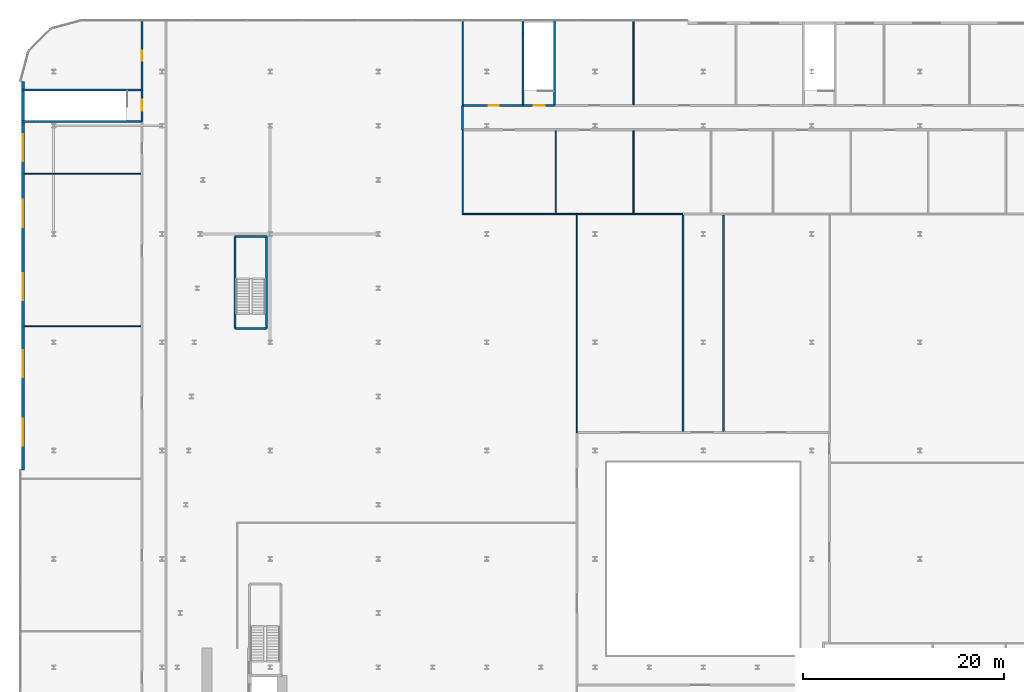
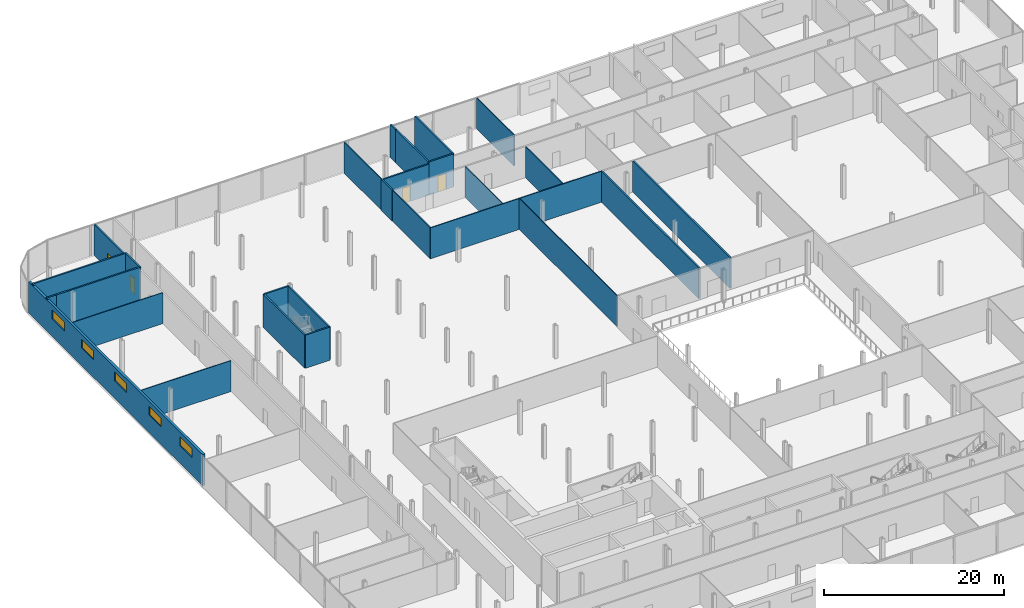
# One storey, part 34 of 43: 27 walls, 5 windows, 4 doors, 9 openings.
"""IFC4 building model written with IfcOpenShell, lengths in metres."""

import ifcopenshell
import ifcopenshell.guid

model = None  # the IFC model being written
_history = None  # IfcOwnerHistory: only IFC2X3 demands one
_inside = {}  # id of a spatial element -> (the spatial element, [elements in it])
_under = {}  # id of a project, library or spatial element -> (it, [spatial elements below it])
_declared = {}  # id of a project -> (the project, [libraries it declares])
_typed = {}  # id of a type object -> (the type object, [elements of that type])
_made_of = {}  # id of a material, layer set ... -> (it, [elements and type objects made of it])


def new_model(schema):
    """Start an empty IFC model of exactly this schema.

    Asked for "IFC4X3", IfcOpenShell would pick the latest addendum, in which some entities
    have other attributes; the version numbers below select the first issue.
    IFC2X3 requires an IfcOwnerHistory on every rooted entity: one is made here for all.
    """
    global model, _history
    if schema == "IFC4X3":
        model = ifcopenshell.file(schema_version=(4, 3, 0, 0))
    else:
        model = ifcopenshell.file(schema=schema)
    _inside.clear()
    _under.clear()
    _declared.clear()
    _typed.clear()
    _made_of.clear()
    _history = None
    if model.schema == "IFC2X3":
        org = make("IfcOrganization", Name="unknown")
        user = make(
            "IfcPersonAndOrganization",
            ThePerson=make("IfcPerson", FamilyName="unknown"),
            TheOrganization=org,
        )
        app = make(
            "IfcApplication",
            ApplicationDeveloper=org,
            Version="unknown",
            ApplicationFullName="unknown",
            ApplicationIdentifier="unknown",
        )
        _history = make(
            "IfcOwnerHistory",
            OwningUser=user,
            OwningApplication=app,
            ChangeAction="ADDED",
            CreationDate=0,
        )
    return model


def make(cls, **values):
    """One entity of the class cls with the attributes given. An attribute that is None is left unset."""
    return model.create_entity(
        cls, **{name: value for name, value in values.items() if value is not None}
    )


def rooted(cls, **values):
    """An entity with a GlobalId (a new one), such as an element, a storey or a relation."""
    return make(cls, GlobalId=ifcopenshell.guid.new(), OwnerHistory=_history, **values)


def si_unit(unit_type, name, prefix=None):
    """IfcSIUnit, for example si_unit("LENGTHUNIT", "METRE", prefix="MILLI")."""
    return make("IfcSIUnit", UnitType=unit_type, Prefix=prefix, Name=name)


def assignment(units):
    """IfcUnitAssignment: the units of a project."""
    return None if units is None else make("IfcUnitAssignment", Units=units)


def point(xyz):
    """IfcCartesianPoint."""
    return None if xyz is None else make("IfcCartesianPoint", Coordinates=xyz)


def direction(xyz):
    """IfcDirection."""
    return None if xyz is None else make("IfcDirection", DirectionRatios=xyz)


def frame(location, z_axis=None, x_axis=None):
    """IfcAxis2Placement3D, a coordinate frame: its origin and axes. An axis left out is left unset."""
    return make(
        "IfcAxis2Placement3D",
        Location=point(location),
        Axis=direction(z_axis),
        RefDirection=direction(x_axis),
    )


def frame_2d(location, x_axis=None):
    """IfcAxis2Placement2D, a coordinate frame in the plane: its origin and x axis."""
    return make(
        "IfcAxis2Placement2D", Location=point(location), RefDirection=direction(x_axis)
    )


def origin():
    """The frame at (0, 0, 0) with its axes left unset."""
    return frame((0.0, 0.0, 0.0))


def place(relative_to, where):
    """IfcLocalPlacement: puts the frame where relative to a parent placement (None: the world)."""
    return make(
        "IfcLocalPlacement", PlacementRelTo=relative_to, RelativePlacement=where
    )


def context(
    kind, dimensions, precision=None, world=None, true_north=None, identifier=None
):
    """IfcGeometricRepresentationContext, for example the 3D "Model" context."""
    return make(
        "IfcGeometricRepresentationContext",
        ContextIdentifier=identifier,
        ContextType=kind,
        CoordinateSpaceDimension=dimensions,
        Precision=precision,
        WorldCoordinateSystem=world,
        TrueNorth=true_north,
    )


def subcontext(parent, identifier, kind, view, scale=None):
    """IfcGeometricRepresentationSubContext, for example "Body" below "Model"."""
    return make(
        "IfcGeometricRepresentationSubContext",
        ContextIdentifier=identifier,
        ContextType=kind,
        ParentContext=parent,
        TargetScale=scale,
        TargetView=view,
    )


def project(units=None, contexts=None):
    """IfcProject with its units and contexts."""
    return rooted(
        "IfcProject",
        Name="project",
        RepresentationContexts=contexts,
        UnitsInContext=assignment(units),
    )


def spatial(cls, under=None, at=None, **own):
    """A site, building, storey or space (cls), placed at a placement, below another one or the project."""
    s = rooted(cls, ObjectPlacement=at, **own)
    if under is not None:
        _under.setdefault(under.id(), (under, []))[1].append(s)
    return s


def profile(cls, at=None, kind="AREA", **sizes):
    """A parametric profile (cls). Its sizes go by their IFC names, for example OverallWidth=200.0."""
    return make(cls, ProfileType=kind, Position=at, **sizes)


def rectangle(**sizes):
    """IfcRectangleProfileDef."""
    return profile("IfcRectangleProfileDef", **sizes)


def extrude(swept, where, along, depth):
    """IfcExtrudedAreaSolid: the profile swept, set in the frame where, extruded along a direction by depth."""
    return make(
        "IfcExtrudedAreaSolid",
        SweptArea=swept,
        Position=where,
        ExtrudedDirection=direction(along),
        Depth=depth,
    )


def shape(context_of_items, identifier, shape_type, items):
    """IfcShapeRepresentation: the items that make up one representation, for example the "Body"."""
    return make(
        "IfcShapeRepresentation",
        ContextOfItems=context_of_items,
        RepresentationIdentifier=identifier,
        RepresentationType=shape_type,
        Items=items,
    )


def source(mapping_origin, context_of_items, identifier, shape_type, items):
    """IfcRepresentationMap: a shape defined once, which mapped items show again and again."""
    return make(
        "IfcRepresentationMap",
        MappingOrigin=mapping_origin,
        MappedRepresentation=shape(context_of_items, identifier, shape_type, items),
    )


def transform(
    local_origin,
    x_axis=None,
    y_axis=None,
    z_axis=None,
    scale=None,
    scale2=None,
    scale3=None,
    uniform=True,
):
    """IfcCartesianTransformationOperator3D, or its non-uniform kind. x_axis, y_axis, z_axis: its Axis1, 2, 3."""
    if uniform:
        return make(
            "IfcCartesianTransformationOperator3D",
            Axis1=direction(x_axis),
            Axis2=direction(y_axis),
            LocalOrigin=point(local_origin),
            Scale=scale,
            Axis3=direction(z_axis),
        )
    return make(
        "IfcCartesianTransformationOperator3DnonUniform",
        Axis1=direction(x_axis),
        Axis2=direction(y_axis),
        LocalOrigin=point(local_origin),
        Scale=scale,
        Axis3=direction(z_axis),
        Scale2=scale2,
        Scale3=scale3,
    )


def mapped(mapping_source, mapping_target):
    """IfcMappedItem: shows the shape of a source again, moved by a transform."""
    return make(
        "IfcMappedItem", MappingSource=mapping_source, MappingTarget=mapping_target
    )


def material(Name=None, Category=None):
    """IfcMaterial."""
    return make("IfcMaterial", Name=Name, Category=Category)


def layer(
    of_material, thickness, ventilated=None, Name=None, Category=None, Priority=None
):
    """IfcMaterialLayer: one layer of a wall or slab, of a material (None: an air gap)."""
    return make(
        "IfcMaterialLayer",
        Material=of_material,
        LayerThickness=thickness,
        IsVentilated=ventilated,
        Name=Name,
        Category=Category,
        Priority=Priority,
    )


def layer_set(layers, Name=None):
    """IfcMaterialLayerSet."""
    return make("IfcMaterialLayerSet", MaterialLayers=layers, LayerSetName=Name)


def made_of(thing, what):
    """Note that an element or type object is made of a material, layer set ...; save() writes the relation."""
    if what is not None:
        _made_of.setdefault(what.id(), (what, []))[1].append(thing)
    return thing


def type_object(cls, material=None, **own):
    """A type object (cls), such as IfcWallType, which elements share."""
    return made_of(rooted(cls, **own), material)


def element(
    cls,
    number,
    at=None,
    inside=None,
    cuts=None,
    type_object=None,
    material=None,
    context=None,
    identifier="Body",
    shape_type=None,
    held_by="IfcProductDefinitionShape",
    body=None,
    shapes=None,
    **own,
):
    """One element of the class cls, such as IfcWall. Its Tag is "e" and its number.

    at: its placement. inside: the storey or other place that contains it. cuts: it is an
    opening in that element (IfcRelVoidsElement). A single representation is given by context,
    identifier, shape_type and body (its items); several are given by shapes. held_by: the class
    of the entity that holds the representations. save() writes the other relations.
    """
    e = rooted(cls, Tag="e%d" % number, ObjectPlacement=at, **own)
    if body is not None:
        shapes = [shape(context, identifier, shape_type, body)]
    if shapes is not None:
        e.Representation = make(held_by, Representations=shapes)
    if inside is not None:
        _inside.setdefault(inside.id(), (inside, []))[1].append(e)
    if cuts is not None:
        rooted(
            "IfcRelVoidsElement", RelatingBuildingElement=cuts, RelatedOpeningElement=e
        )
    if type_object is not None:
        _typed.setdefault(type_object.id(), (type_object, []))[1].append(e)
    return made_of(e, material)


def fill(opening, filler):
    """IfcRelFillsElement: the door or window that sits in an opening."""
    return rooted(
        "IfcRelFillsElement",
        RelatingOpeningElement=opening,
        RelatedBuildingElement=filler,
    )


def aggregate(whole, parts):
    """IfcRelAggregates: a whole, such as a stair, and the parts it consists of."""
    return rooted("IfcRelAggregates", RelatingObject=whole, RelatedObjects=parts)


def save(model, path):
    """Write the relations noted so far, then the file.

    IfcRelAggregates (storeys below a building ...), IfcRelContainedInSpatialStructure (elements
    in a storey), IfcRelDefinesByType, IfcRelAssociatesMaterial and IfcRelDeclares: one each for
    every whole, place, type object, material and project.
    """
    for whole, parts in _under.values():
        aggregate(whole, parts)
    for where, things in _inside.values():
        rooted(
            "IfcRelContainedInSpatialStructure",
            RelatedElements=things,
            RelatingStructure=where,
        )
    for kind, things in _typed.values():
        rooted("IfcRelDefinesByType", RelatedObjects=things, RelatingType=kind)
    for what, things in _made_of.values():
        rooted("IfcRelAssociatesMaterial", RelatedObjects=things, RelatingMaterial=what)
    for by, libraries in _declared.values():
        rooted("IfcRelDeclares", RelatingContext=by, RelatedDefinitions=libraries)
    model.write(path)


model = new_model("IFC4")

# Units and contexts
model_context = context("Model", 3, precision=1e-05, world=origin(), true_north=direction((0.0, 1.0)))
body_context = subcontext(model_context, "Body", "Model", "MODEL_VIEW")
ifc_project = project(units=[si_unit("LENGTHUNIT", "METRE"), si_unit("AREAUNIT", "SQUARE_METRE"), si_unit("VOLUMEUNIT", "CUBIC_METRE"), si_unit("PLANEANGLEUNIT", "RADIAN"), si_unit("MASSUNIT", "GRAM", prefix="KILO")], contexts=[model_context])

# Site, building, storey
site_placement = place(None, origin())
site = spatial("IfcSite", under=ifc_project, at=site_placement, CompositionType="ELEMENT")
building_placement = place(site_placement, origin())
building = spatial("IfcBuilding", under=site, at=building_placement, Name="Kheshtan School and Residences Tower", CompositionType="ELEMENT")
storey_placement = place(building_placement, frame((0.0, 0.0, 26.0)))
storey = spatial("IfcBuildingStorey", under=building, at=storey_placement, Name="L05", CompositionType="ELEMENT", Elevation=26.0)

# Walls
ifc_material_1 = material(Name="Gypsum board on steel studs with mineral wool", Category="steel")
ifc_layer_1 = layer(ifc_material_1, 0.125)
ifc_layer_set_1 = layer_set([ifc_layer_1], Name="Acoustic partition 125")
wall_type_1 = type_object("IfcWallType", Name="Acoustic partition 125", PredefinedType="PARTITIONING", material=ifc_layer_set_1)
wall_1_placement = place(storey_placement, frame((55.93798828125, 90.800048828125, 0.0), z_axis=(0.0, 0.0, 1.0), x_axis=(1.0, 0.0, 0.0)))
element("IfcWall", 1, at=wall_1_placement, inside=storey, type_object=wall_type_1, Name="Partition L05-020", PredefinedType="PARTITIONING", context=body_context, shape_type="SweptSolid", body=[
    extrude(rectangle(XDim=22.06201171875, YDim=0.125, at=frame_2d((11.031005859375, 0.0))), origin(), (0.0, 0.0, 1.0), 4.199951171875),
])
wall_2_placement = place(storey_placement, frame((56.0, 90.862060546875, 0.0), z_axis=(0.0, 0.0, 1.0), x_axis=(0.0, 1.0, 0.0)))
element("IfcWall", 2, at=wall_2_placement, inside=storey, type_object=wall_type_1, Name="Partition L05-021", PredefinedType="PARTITIONING", context=body_context, shape_type="SweptSolid", body=[
    extrude(rectangle(XDim=8.337890625, YDim=0.125, at=frame_2d((4.1689453125, 0.0))), origin(), (0.0, 0.0, 1.0), 4.199951171875),
])
wall_3_placement = place(storey_placement, frame((56.0, 101.60009765625, 0.0), z_axis=(0.0, 0.0, 1.0), x_axis=(0.0, 1.0, 0.0)))
element("IfcWall", 3, at=wall_3_placement, inside=storey, type_object=wall_type_1, Name="Partition L05-023", PredefinedType="PARTITIONING", context=body_context, shape_type="SweptSolid", body=[
    extrude(rectangle(XDim=8.39990234375, YDim=0.125, at=frame_2d((4.199951171875, 0.0))), origin(), (0.0, 0.0, 1.0), 4.199951171875),
])
for number, where, z_axis, x_axis, name in (
    (4, (65.2890625, 90.862060546875, 0.0), (0.0, 0.0, 1.0), (0.0, 1.0, 0.0), "Partition L05-027"),
    (5, (73.029052734375, 90.862060546875, 0.0), (0.0, 0.0, 1.0), (0.0, 1.0, 0.0), "Partition L05-034"),
):
    element("IfcWall", number, at=place(storey_placement, frame(where, z_axis=z_axis, x_axis=x_axis)), inside=storey, type_object=wall_type_1, Name=name, PredefinedType="PARTITIONING", context=body_context, shape_type="SweptSolid", body=[
        extrude(rectangle(XDim=8.238037109375, YDim=0.125, at=frame_2d((4.119140625, 0.0))), origin(), (0.0, 0.0, 1.0), 4.199951171875),
    ])
wall_4_placement = place(storey_placement, frame((73.0419921875, 101.699951171875, 0.0), z_axis=(0.0, 0.0, 1.0), x_axis=(0.0, 1.0, 0.0)))
element("IfcWall", 6, at=wall_4_placement, inside=storey, type_object=wall_type_1, Name="Partition L05-035", PredefinedType="PARTITIONING", context=body_context, shape_type="SweptSolid", body=[
    extrude(rectangle(XDim=8.300048828125, YDim=0.125, at=frame_2d((4.14990234375, 0.0))), origin(), (0.0, 0.0, 1.0), 4.199951171875),
])

# Wall, opening, door
ifc_material_2 = material(Name="Gypsum board on steel studs with fire boards", Category="steel")
ifc_layer_2 = layer(ifc_material_2, 0.199951171875)
ifc_layer_set_2 = layer_set([ifc_layer_2], Name="Corridor wall 200")
wall_type_2 = type_object("IfcWallType", Name="Corridor wall 200", PredefinedType="PARTITIONING", material=ifc_layer_set_2)
wall_5_placement = place(storey_placement, frame((24.0, 103.14990234375, 0.0), z_axis=(0.0, 0.0, 1.0), x_axis=(0.0, 1.0, 0.0)))
wall_5 = element("IfcWall", 7, at=wall_5_placement, inside=storey, type_object=wall_type_2, Name="Partition L05-013", PredefinedType="PARTITIONING", context=body_context, shape_type="SweptSolid", body=[
    extrude(rectangle(XDim=6.85009765625, YDim=0.199951171875, at=frame_2d((3.425048828125, 0.0))), origin(), (0.0, 0.0, 1.0), 4.199951171875),
])
opening_1_placement = place(wall_5_placement, frame((2.949951171875, 0.0, 0.0)))
opening_1 = element("IfcOpeningElement", 8, at=opening_1_placement, cuts=wall_5, Name="Opening D05-058", PredefinedType="OPENING", context=body_context, shape_type="SweptSolid", body=[
    extrude(rectangle(XDim=1.0, YDim=2.10009765625, at=frame_2d((0.5, 1.050048828125))), frame((0.0, 0.10986328125, 0.0), z_axis=(0.0, -1.0, 0.0), x_axis=(1.0, 0.0, 0.0)), (0.0, 0.0, 1.0), 0.219970703125),
])
ifc_material_3 = material(Name="Steel-framed fire-resisting door leaf", Category="steel")
door_type_1 = type_object("IfcDoorType", Name="Fire door FD60 1000 x 2100", OperationType="SINGLE_SWING_LEFT", PredefinedType="DOOR", material=ifc_material_3)
shared_shape_1 = source(origin(), body_context, "Body", "SweptSolid", [
    extrude(rectangle(XDim=1.0, YDim=2.10009765625, at=frame_2d((0.5, 1.050048828125))), frame((0.0, 0.02490234375, 0.0), z_axis=(0.0, -1.0, 0.0), x_axis=(1.0, 0.0, 0.0)), (0.0, 0.0, 1.0), 0.050048828125),
])
door_1_placement = place(opening_1_placement, origin())
door_1 = element("IfcDoor", 9, at=door_1_placement, inside=storey, type_object=door_type_1, Name="Door D05-058", OperationType="SINGLE_SWING_RIGHT", OverallHeight=2.10009765625, OverallWidth=1.0, PredefinedType="DOOR", context=body_context, shape_type="MappedRepresentation", body=[
    mapped(shared_shape_1, transform((0.0, 0.0, 0.0), x_axis=(1.0, 0.0, 0.0), y_axis=(0.0, 1.0, 0.0), z_axis=(0.0, 0.0, 1.0), scale=1.0)),
])
fill(opening_1, door_1)

# Wall
wall_6_placement = place(storey_placement, frame((56.0, 99.199951171875, 0.0), z_axis=(0.0, 0.0, 1.0), x_axis=(0.0, 1.0, 0.0)))
element("IfcWall", 10, at=wall_6_placement, inside=storey, type_object=wall_type_2, Name="Partition L05-022", PredefinedType="PARTITIONING", context=body_context, shape_type="SweptSolid", body=[
    extrude(rectangle(XDim=2.400146484375, YDim=0.199951171875, at=frame_2d((1.2001953125, 0.0))), origin(), (0.0, 0.0, 1.0), 4.199951171875),
])

# Wall, opening, door
wall_7_placement = place(storey_placement, frame((56.10009765625, 101.60009765625, 0.0), z_axis=(0.0, 0.0, 1.0), x_axis=(1.0, 0.0, 0.0)))
wall_7 = element("IfcWall", 11, at=wall_7_placement, inside=storey, type_object=wall_type_2, Name="Partition L05-025", PredefinedType="PARTITIONING", context=body_context, shape_type="SweptSolid", body=[
    extrude(rectangle(XDim=5.89990234375, YDim=0.199951171875, at=frame_2d((2.949951171875, 0.0))), origin(), (0.0, 0.0, 1.0), 4.199951171875),
])
opening_2_placement = place(wall_7_placement, frame((2.5, 0.0, 0.0)))
opening_2 = element("IfcOpeningElement", 12, at=opening_2_placement, cuts=wall_7, Name="Opening D05-024", PredefinedType="OPENING", context=body_context, shape_type="SweptSolid", body=[
    extrude(rectangle(XDim=1.0, YDim=2.10009765625, at=frame_2d((0.5, 1.050048828125))), frame((0.0, 0.10986328125, 0.0), z_axis=(0.0, -1.0, 0.0), x_axis=(1.0, 0.0, 0.0)), (0.0, 0.0, 1.0), 0.219970703125),
])
door_2_placement = place(opening_2_placement, origin())
door_2 = element("IfcDoor", 13, at=door_2_placement, inside=storey, type_object=door_type_1, Name="Door D05-024", OperationType="SINGLE_SWING_LEFT", OverallHeight=2.10009765625, OverallWidth=1.0, PredefinedType="DOOR", context=body_context, shape_type="MappedRepresentation", body=[
    mapped(shared_shape_1, transform((0.0, 0.0, 0.0), x_axis=(1.0, 0.0, 0.0), y_axis=(0.0, 1.0, 0.0), z_axis=(0.0, 0.0, 1.0), scale=1.0)),
])
fill(opening_2, door_2)

# Walls
for number, where, z_axis, x_axis, name in (
    (14, (78.0, 69.10009765625, 0.0), (0.0, 0.0, 1.0), (0.0, 1.0, 0.0), "Partition L05-036"),
    (15, (82.0, 69.10009765625, 0.0), (0.0, 0.0, 1.0), (0.0, 1.0, 0.0), "Partition L05-040"),
):
    element("IfcWall", number, at=place(storey_placement, frame(where, z_axis=z_axis, x_axis=x_axis)), inside=storey, type_object=wall_type_2, Name=name, PredefinedType="PARTITIONING", context=body_context, shape_type="SweptSolid", body=[
        extrude(rectangle(XDim=21.599853515625, YDim=0.199951171875, at=frame_2d((10.7998046875, 0.0))), origin(), (0.0, 0.0, 1.0), 4.199951171875),
    ])
ifc_material_4 = material(Name="Gypsum board on steel studs", Category="steel")
ifc_layer_3 = layer(ifc_material_4, 0.10009765625)
ifc_layer_set_3 = layer_set([ifc_layer_3], Name="Gypsum partition 100")
wall_type_3 = type_object("IfcWallType", Name="Gypsum partition 100", PredefinedType="PARTITIONING", material=ifc_layer_set_3)
for number, where, z_axis, x_axis, name in (
    (16, (12.299072265625, 79.60009765625, 0.0), (0.0, 0.0, 1.0), (1.0, 0.0, 0.0), "Partition L05-006"),
    (17, (12.299072265625, 94.800048828125, 0.0), (0.0, 0.0, 1.0), (1.0, 0.0, 0.0), "Partition L05-007"),
):
    element("IfcWall", number, at=place(storey_placement, frame(where, z_axis=z_axis, x_axis=x_axis)), inside=storey, type_object=wall_type_3, Name=name, PredefinedType="PARTITIONING", context=body_context, shape_type="SweptSolid", body=[
        extrude(rectangle(XDim=11.600830078125, YDim=0.10009765625, at=frame_2d((5.80029296875, 0.0))), origin(), (0.0, 0.0, 1.0), 4.199951171875),
    ])
wall_8_placement = place(storey_placement, frame((67.39990234375, 69.0, 0.0), z_axis=(0.0, 0.0, 1.0), x_axis=(0.0, 1.0, 0.0)))
element("IfcWall", 18, at=wall_8_placement, inside=storey, type_object=wall_type_3, Name="Partition L05-031", PredefinedType="PARTITIONING", context=body_context, shape_type="SweptSolid", body=[
    extrude(rectangle(XDim=21.738037109375, YDim=0.10009765625, at=frame_2d((10.869140625, 0.0))), origin(), (0.0, 0.0, 1.0), 4.199951171875),
])

# Wall, openings, windows
ifc_material_5 = material(Name="Concrete C40/50 with ceramic cladding and mineral wool insulation", Category="concrete")
ifc_layer_4 = layer(ifc_material_5, 0.300048828125)
ifc_layer_set_4 = layer_set([ifc_layer_4], Name="Podium external wall 300")
wall_type_4 = type_object("IfcWallType", Name="Podium external wall 300", PredefinedType="SOLIDWALL", material=ifc_layer_set_4)
wall_9_placement = place(storey_placement, frame((12.14990234375, 65.280029296875, 0.0), z_axis=(0.0, 0.0, 1.0), x_axis=(0.0, 1.0, 0.0)))
wall_9 = element("IfcWall", 19, at=wall_9_placement, inside=storey, type_object=wall_type_4, Name="Podium external wall L05 16.1", PredefinedType="SOLIDWALL", context=body_context, shape_type="SweptSolid", body=[
    extrude(rectangle(XDim=38.719970703125, YDim=0.300048828125, at=frame_2d((19.35986328125, 0.0))), origin(), (0.0, 0.0, 1.0), 4.25),
])
opening_3_placement = place(wall_9_placement, frame((2.3798828125, 0.0, 2.39990234375)))
opening_3 = element("IfcOpeningElement", 20, at=opening_3_placement, cuts=wall_9, Name="Opening WN-G", PredefinedType="OPENING", context=body_context, shape_type="SweptSolid", body=[
    extrude(rectangle(XDim=2.699951171875, YDim=1.199951171875, at=frame_2d((1.35009765625, 0.60009765625))), frame((0.0, 0.16015625, 0.0), z_axis=(0.0, -1.0, 0.0), x_axis=(1.0, 0.0, 0.0)), (0.0, 0.0, 1.0), 0.320068359375),
])
opening_4_placement = place(wall_9_placement, frame((9.239990234375, 0.0, 2.39990234375)))
opening_4 = element("IfcOpeningElement", 21, at=opening_4_placement, cuts=wall_9, Name="Opening WN-G", PredefinedType="OPENING", context=body_context, shape_type="SweptSolid", body=[
    extrude(rectangle(XDim=2.699951171875, YDim=1.199951171875, at=frame_2d((1.35009765625, 0.60009765625))), frame((0.0, 0.16015625, 0.0), z_axis=(0.0, -1.0, 0.0), x_axis=(1.0, 0.0, 0.0)), (0.0, 0.0, 1.0), 0.320068359375),
])
opening_5_placement = place(wall_9_placement, frame((16.919921875, 0.0, 2.39990234375)))
opening_5 = element("IfcOpeningElement", 22, at=opening_5_placement, cuts=wall_9, Name="Opening WN-G", PredefinedType="OPENING", context=body_context, shape_type="SweptSolid", body=[
    extrude(rectangle(XDim=2.699951171875, YDim=1.199951171875, at=frame_2d((1.35009765625, 0.60009765625))), frame((0.0, 0.16015625, 0.0), z_axis=(0.0, -1.0, 0.0), x_axis=(1.0, 0.0, 0.0)), (0.0, 0.0, 1.0), 0.320068359375),
])
opening_6_placement = place(wall_9_placement, frame((24.219970703125, 0.0, 2.39990234375)))
opening_6 = element("IfcOpeningElement", 23, at=opening_6_placement, cuts=wall_9, Name="Opening WN-G", PredefinedType="OPENING", context=body_context, shape_type="SweptSolid", body=[
    extrude(rectangle(XDim=2.699951171875, YDim=1.199951171875, at=frame_2d((1.35009765625, 0.60009765625))), frame((0.0, 0.16015625, 0.0), z_axis=(0.0, -1.0, 0.0), x_axis=(1.0, 0.0, 0.0)), (0.0, 0.0, 1.0), 0.320068359375),
])
opening_7_placement = place(wall_9_placement, frame((30.77001953125, 0.0, 2.39990234375)))
opening_7 = element("IfcOpeningElement", 24, at=opening_7_placement, cuts=wall_9, Name="Opening WN-G", PredefinedType="OPENING", context=body_context, shape_type="SweptSolid", body=[
    extrude(rectangle(XDim=2.699951171875, YDim=1.199951171875, at=frame_2d((1.35009765625, 0.60009765625))), frame((0.0, 0.16015625, 0.0), z_axis=(0.0, -1.0, 0.0), x_axis=(1.0, 0.0, 0.0)), (0.0, 0.0, 1.0), 0.320068359375),
])
ifc_material_6 = material(Name="Clear low-e glass in thermally broken aluminium frame", Category="aluminium")
window_type = type_object("IfcWindowType", Name="Window WN-G", PartitioningType="SINGLE_PANEL", PredefinedType="WINDOW", material=ifc_material_6)
shared_shape_2 = source(origin(), body_context, "Body", "SweptSolid", [
    extrude(rectangle(XDim=2.699951171875, YDim=1.199951171875, at=frame_2d((1.35009765625, 0.60009765625))), frame((0.0, 0.030029296875, 0.0), z_axis=(0.0, -1.0, 0.0), x_axis=(1.0, 0.0, 0.0)), (0.0, 0.0, 1.0), 0.06005859375),
])
window_1_placement = place(opening_3_placement, origin())
window_1 = element("IfcWindow", 25, at=window_1_placement, inside=storey, type_object=window_type, Name="Window L05 16.1.1", OverallHeight=1.199951171875, OverallWidth=2.699951171875, PartitioningType="SINGLE_PANEL", PredefinedType="WINDOW", context=body_context, shape_type="MappedRepresentation", body=[
    mapped(shared_shape_2, transform((0.0, 0.0, 0.0), x_axis=(1.0, 0.0, 0.0), y_axis=(0.0, 1.0, 0.0), z_axis=(0.0, 0.0, 1.0), scale=1.0)),
])
fill(opening_3, window_1)
window_2_placement = place(opening_4_placement, origin())
window_2 = element("IfcWindow", 26, at=window_2_placement, inside=storey, type_object=window_type, Name="Window L05 16.1.2", OverallHeight=1.199951171875, OverallWidth=2.699951171875, PartitioningType="SINGLE_PANEL", PredefinedType="WINDOW", context=body_context, shape_type="MappedRepresentation", body=[
    mapped(shared_shape_2, transform((0.0, 0.0, 0.0), x_axis=(1.0, 0.0, 0.0), y_axis=(0.0, 1.0, 0.0), z_axis=(0.0, 0.0, 1.0), scale=1.0)),
])
fill(opening_4, window_2)
window_3_placement = place(opening_5_placement, origin())
window_3 = element("IfcWindow", 27, at=window_3_placement, inside=storey, type_object=window_type, Name="Window L05 16.1.3", OverallHeight=1.199951171875, OverallWidth=2.699951171875, PartitioningType="SINGLE_PANEL", PredefinedType="WINDOW", context=body_context, shape_type="MappedRepresentation", body=[
    mapped(shared_shape_2, transform((0.0, 0.0, 0.0), x_axis=(1.0, 0.0, 0.0), y_axis=(0.0, 1.0, 0.0), z_axis=(0.0, 0.0, 1.0), scale=1.0)),
])
fill(opening_5, window_3)
window_4_placement = place(opening_6_placement, origin())
window_4 = element("IfcWindow", 28, at=window_4_placement, inside=storey, type_object=window_type, Name="Window L05 16.1.4", OverallHeight=1.199951171875, OverallWidth=2.699951171875, PartitioningType="SINGLE_PANEL", PredefinedType="WINDOW", context=body_context, shape_type="MappedRepresentation", body=[
    mapped(shared_shape_2, transform((0.0, 0.0, 0.0), x_axis=(1.0, 0.0, 0.0), y_axis=(0.0, 1.0, 0.0), z_axis=(0.0, 0.0, 1.0), scale=1.0)),
])
fill(opening_6, window_4)
window_5_placement = place(opening_7_placement, origin())
window_5 = element("IfcWindow", 29, at=window_5_placement, inside=storey, type_object=window_type, Name="Window L05 16.1.5", OverallHeight=1.199951171875, OverallWidth=2.699951171875, PartitioningType="SINGLE_PANEL", PredefinedType="WINDOW", context=body_context, shape_type="MappedRepresentation", body=[
    mapped(shared_shape_2, transform((0.0, 0.0, 0.0), x_axis=(1.0, 0.0, 0.0), y_axis=(0.0, 1.0, 0.0), z_axis=(0.0, 0.0, 1.0), scale=1.0)),
])
fill(opening_7, window_5)

# Walls
ifc_material_7 = material(Name="Concrete C40/50", Category="concrete")
ifc_layer_5 = layer(ifc_material_7, 0.199951171875)
ifc_layer_set_5 = layer_set([ifc_layer_5], Name="Stair enclosure wall 200 Concrete C40/50")
wall_type_5 = type_object("IfcWallType", Name="Stair enclosure wall 200 Concrete C40/50", PredefinedType="SHEAR", material=ifc_layer_set_5)
for number, where, z_axis, x_axis, name in (
    (30, (33.300048828125, 79.39990234375, 0.0), (0.0, 0.0, 1.0), (1.0, 0.0, 0.0), "Stair enclosure wall ST3"),
    (31, (33.300048828125, 88.56005859375, 0.0), (0.0, 0.0, 1.0), (1.0, 0.0, 0.0), "Stair enclosure wall ST3"),
):
    element("IfcWall", number, at=place(storey_placement, frame(where, z_axis=z_axis, x_axis=x_axis)), inside=storey, type_object=wall_type_5, Name=name, PredefinedType="SHEAR", context=body_context, shape_type="SweptSolid", body=[
        extrude(rectangle(XDim=3.14990234375, YDim=0.199951171875, at=frame_2d((1.574951171875, 0.0))), origin(), (0.0, 0.0, 1.0), 4.5),
    ])
for number, where, z_axis, x_axis, name in (
    (32, (33.300048828125, 79.39990234375, 0.0), (0.0, 0.0, 1.0), (0.0, 1.0, 0.0), "Stair enclosure wall ST3"),
    (33, (36.449951171875, 79.39990234375, 0.0), (0.0, 0.0, 1.0), (0.0, 1.0, 0.0), "Stair enclosure wall ST3"),
):
    element("IfcWall", number, at=place(storey_placement, frame(where, z_axis=z_axis, x_axis=x_axis)), inside=storey, type_object=wall_type_5, Name=name, PredefinedType="SHEAR", context=body_context, shape_type="SweptSolid", body=[
        extrude(rectangle(XDim=9.16015625, YDim=0.199951171875, at=frame_2d((4.580078125, 0.0))), origin(), (0.0, 0.0, 1.0), 4.5),
    ])

# Wall, opening, door
wall_10_placement = place(storey_placement, frame((62.0, 101.60009765625, 0.0), z_axis=(0.0, 0.0, 1.0), x_axis=(1.0, 0.0, 0.0)))
wall_10 = element("IfcWall", 34, at=wall_10_placement, inside=storey, type_object=wall_type_5, Name="Stair enclosure wall", PredefinedType="SHEAR", context=body_context, shape_type="SweptSolid", body=[
    extrude(rectangle(XDim=3.14990234375, YDim=0.199951171875, at=frame_2d((1.574951171875, 0.0))), origin(), (0.0, 0.0, 1.0), 4.5),
])
opening_8_placement = place(wall_10_placement, frame((1.10009765625, 0.0, 0.0)))
opening_8 = element("IfcOpeningElement", 35, at=opening_8_placement, cuts=wall_10, Name="Opening SD90", PredefinedType="OPENING", context=body_context, shape_type="SweptSolid", body=[
    extrude(rectangle(XDim=1.10009765625, YDim=2.199951171875, at=frame_2d((0.550048828125, 1.10009765625))), frame((0.0, 0.10986328125, 0.0), z_axis=(0.0, -1.0, 0.0), x_axis=(1.0, 0.0, 0.0)), (0.0, 0.0, 1.0), 0.219970703125),
])
ifc_material_8 = material(Name="Steel door leaf, galvanised", Category="steel")
door_type_2 = type_object("IfcDoorType", Name="Stair door 1100 steel 90 min", OperationType="SINGLE_SWING_LEFT", PredefinedType="DOOR", material=ifc_material_8)
shared_shape_3 = source(origin(), body_context, "Body", "SweptSolid", [
    extrude(rectangle(XDim=1.10009765625, YDim=2.199951171875, at=frame_2d((0.550048828125, 1.10009765625))), frame((0.0, 0.02490234375, 0.0), z_axis=(0.0, -1.0, 0.0), x_axis=(1.0, 0.0, 0.0)), (0.0, 0.0, 1.0), 0.050048828125),
])
door_3_placement = place(opening_8_placement, origin())
door_3 = element("IfcDoor", 36, at=door_3_placement, inside=storey, type_object=door_type_2, Name="Stair door", OperationType="SINGLE_SWING_RIGHT", OverallHeight=2.199951171875, OverallWidth=1.10009765625, PredefinedType="DOOR", context=body_context, shape_type="MappedRepresentation", body=[
    mapped(shared_shape_3, transform((0.0, 0.0, 0.0), x_axis=(1.0, 0.0, 0.0), y_axis=(0.0, 1.0, 0.0), z_axis=(0.0, 0.0, 1.0), scale=1.0)),
])
fill(opening_8, door_3)

# Walls
wall_11_placement = place(storey_placement, frame((62.0, 101.60009765625, 0.0), z_axis=(0.0, 0.0, 1.0), x_axis=(0.0, 1.0, 0.0)))
element("IfcWall", 37, at=wall_11_placement, inside=storey, type_object=wall_type_5, Name="Stair enclosure wall", PredefinedType="SHEAR", context=body_context, shape_type="SweptSolid", body=[
    extrude(rectangle(XDim=7.199951171875, YDim=0.199951171875, at=frame_2d((3.60009765625, 0.0))), origin(), (0.0, 0.0, 1.0), 4.5),
])
wall_12_placement = place(storey_placement, frame((62.0, 108.800048828125, 0.0), z_axis=(0.0, 0.0, 1.0), x_axis=(0.0, 1.0, 0.0)))
element("IfcWall", 38, at=wall_12_placement, inside=storey, type_object=wall_type_5, Name="Stair enclosure wall", PredefinedType="SHEAR", context=body_context, shape_type="SweptSolid", body=[
    extrude(rectangle(XDim=1.199951171875, YDim=0.199951171875, at=frame_2d((0.60009765625, 0.0))), origin(), (0.0, 0.0, 1.0), 4.5),
])
wall_13_placement = place(storey_placement, frame((65.14990234375, 101.60009765625, 0.0), z_axis=(0.0, 0.0, 1.0), x_axis=(0.0, 1.0, 0.0)))
element("IfcWall", 39, at=wall_13_placement, inside=storey, type_object=wall_type_5, Name="Stair enclosure wall", PredefinedType="SHEAR", context=body_context, shape_type="SweptSolid", body=[
    extrude(rectangle(XDim=8.39990234375, YDim=0.199951171875, at=frame_2d((4.199951171875, 0.0))), origin(), (0.0, 0.0, 1.0), 4.5),
])
wall_14_placement = place(storey_placement, frame((12.0, 100.0, 0.0), z_axis=(0.0, 0.0, 1.0), x_axis=(1.0, 0.0, 0.0)))
element("IfcWall", 40, at=wall_14_placement, inside=storey, type_object=wall_type_5, Name="Stair enclosure wall", PredefinedType="SHEAR", context=body_context, shape_type="SweptSolid", body=[
    extrude(rectangle(XDim=1.199951171875, YDim=0.199951171875, at=frame_2d((0.60009765625, 0.0))), origin(), (0.0, 0.0, 1.0), 4.5),
])
wall_15_placement = place(storey_placement, frame((13.199951171875, 100.0, 0.0), z_axis=(0.0, 0.0, 1.0), x_axis=(1.0, 0.0, 0.0)))
element("IfcWall", 41, at=wall_15_placement, inside=storey, type_object=wall_type_5, Name="Stair enclosure wall", PredefinedType="SHEAR", context=body_context, shape_type="SweptSolid", body=[
    extrude(rectangle(XDim=10.800048828125, YDim=0.199951171875, at=frame_2d((5.39990234375, 0.0))), origin(), (0.0, 0.0, 1.0), 4.5),
])
wall_16_placement = place(storey_placement, frame((12.0, 103.14990234375, 0.0), z_axis=(0.0, 0.0, 1.0), x_axis=(1.0, 0.0, 0.0)))
element("IfcWall", 42, at=wall_16_placement, inside=storey, type_object=wall_type_5, Name="Stair enclosure wall", PredefinedType="SHEAR", context=body_context, shape_type="SweptSolid", body=[
    extrude(rectangle(XDim=12.0, YDim=0.199951171875, at=frame_2d((6.0, 0.0))), origin(), (0.0, 0.0, 1.0), 4.5),
])

# Wall, opening, door
wall_17_placement = place(storey_placement, frame((24.0, 100.0, 0.0), z_axis=(0.0, 0.0, 1.0), x_axis=(0.0, 1.0, 0.0)))
wall_17 = element("IfcWall", 43, at=wall_17_placement, inside=storey, type_object=wall_type_5, Name="Stair enclosure wall", PredefinedType="SHEAR", context=body_context, shape_type="SweptSolid", body=[
    extrude(rectangle(XDim=3.14990234375, YDim=0.199951171875, at=frame_2d((1.574951171875, 0.0))), origin(), (0.0, 0.0, 1.0), 4.5),
])
opening_9_placement = place(wall_17_placement, frame((1.10009765625, 0.0, 0.0)))
opening_9 = element("IfcOpeningElement", 44, at=opening_9_placement, cuts=wall_17, Name="Opening SD90", PredefinedType="OPENING", context=body_context, shape_type="SweptSolid", body=[
    extrude(rectangle(XDim=1.10009765625, YDim=2.199951171875, at=frame_2d((0.550048828125, 1.10009765625))), frame((0.0, 0.10986328125, 0.0), z_axis=(0.0, -1.0, 0.0), x_axis=(1.0, 0.0, 0.0)), (0.0, 0.0, 1.0), 0.219970703125),
])
door_4_placement = place(opening_9_placement, origin())
door_4 = element("IfcDoor", 45, at=door_4_placement, inside=storey, type_object=door_type_2, Name="Stair door", OperationType="SINGLE_SWING_RIGHT", OverallHeight=2.199951171875, OverallWidth=1.10009765625, PredefinedType="DOOR", context=body_context, shape_type="MappedRepresentation", body=[
    mapped(shared_shape_3, transform((0.0, 0.0, 0.0), x_axis=(1.0, 0.0, 0.0), y_axis=(0.0, 1.0, 0.0), z_axis=(0.0, 0.0, 1.0), scale=1.0)),
])
fill(opening_9, door_4)

save(model, "model.ifc")
